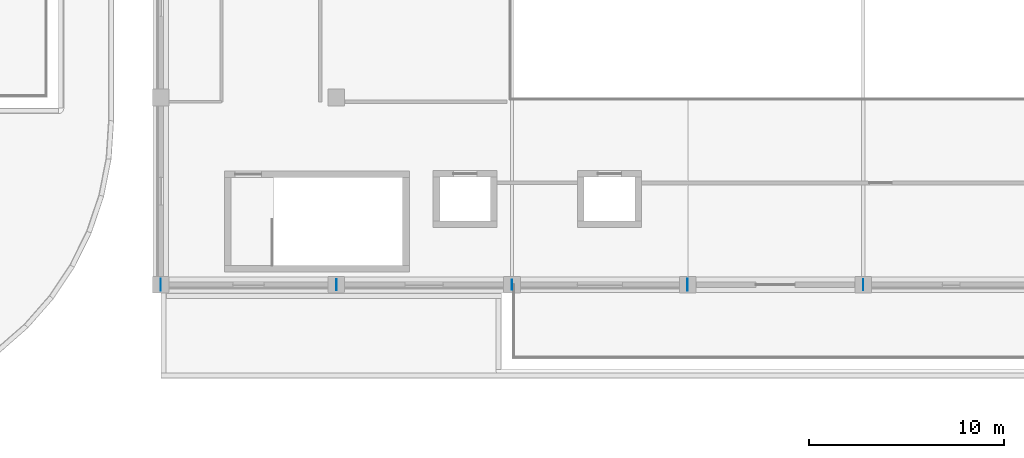
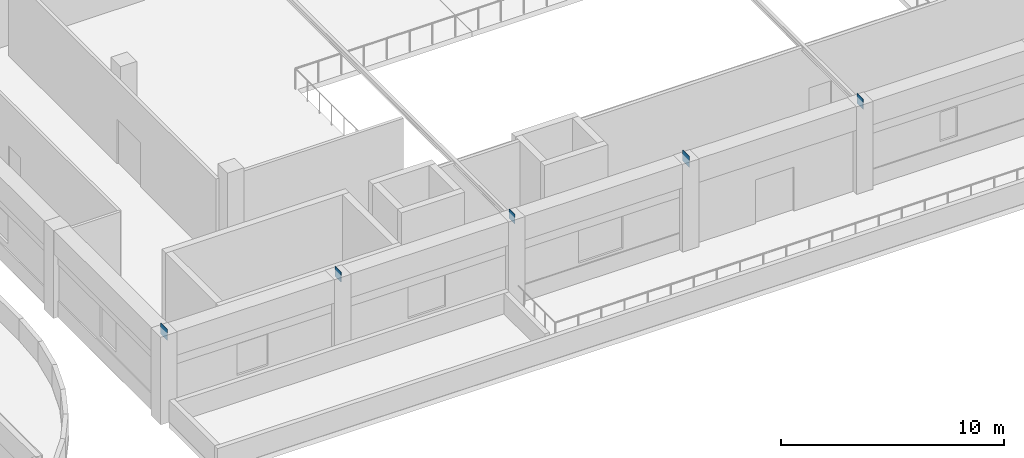
# One storey, part 36 of 67: 5 plates.
"""IFC4 building model written with IfcOpenShell, lengths in metres."""

import ifcopenshell
import ifcopenshell.guid

model = None  # the IFC model being written
_history = None  # IfcOwnerHistory: only IFC2X3 demands one
_inside = {}  # id of a spatial element -> (the spatial element, [elements in it])
_under = {}  # id of a project, library or spatial element -> (it, [spatial elements below it])
_declared = {}  # id of a project -> (the project, [libraries it declares])
_typed = {}  # id of a type object -> (the type object, [elements of that type])
_made_of = {}  # id of a material, layer set ... -> (it, [elements and type objects made of it])


def new_model(schema):
    """Start an empty IFC model of exactly this schema.

    Asked for "IFC4X3", IfcOpenShell would pick the latest addendum, in which some entities
    have other attributes; the version numbers below select the first issue.
    IFC2X3 requires an IfcOwnerHistory on every rooted entity: one is made here for all.
    """
    global model, _history
    if schema == "IFC4X3":
        model = ifcopenshell.file(schema_version=(4, 3, 0, 0))
    else:
        model = ifcopenshell.file(schema=schema)
    _inside.clear()
    _under.clear()
    _declared.clear()
    _typed.clear()
    _made_of.clear()
    _history = None
    if model.schema == "IFC2X3":
        org = make("IfcOrganization", Name="unknown")
        user = make(
            "IfcPersonAndOrganization",
            ThePerson=make("IfcPerson", FamilyName="unknown"),
            TheOrganization=org,
        )
        app = make(
            "IfcApplication",
            ApplicationDeveloper=org,
            Version="unknown",
            ApplicationFullName="unknown",
            ApplicationIdentifier="unknown",
        )
        _history = make(
            "IfcOwnerHistory",
            OwningUser=user,
            OwningApplication=app,
            ChangeAction="ADDED",
            CreationDate=0,
        )
    return model


def make(cls, **values):
    """One entity of the class cls with the attributes given. An attribute that is None is left unset."""
    return model.create_entity(
        cls, **{name: value for name, value in values.items() if value is not None}
    )


def rooted(cls, **values):
    """An entity with a GlobalId (a new one), such as an element, a storey or a relation."""
    return make(cls, GlobalId=ifcopenshell.guid.new(), OwnerHistory=_history, **values)


def si_unit(unit_type, name, prefix=None):
    """IfcSIUnit, for example si_unit("LENGTHUNIT", "METRE", prefix="MILLI")."""
    return make("IfcSIUnit", UnitType=unit_type, Prefix=prefix, Name=name)


def assignment(units):
    """IfcUnitAssignment: the units of a project."""
    return None if units is None else make("IfcUnitAssignment", Units=units)


def point(xyz):
    """IfcCartesianPoint."""
    return None if xyz is None else make("IfcCartesianPoint", Coordinates=xyz)


def direction(xyz):
    """IfcDirection."""
    return None if xyz is None else make("IfcDirection", DirectionRatios=xyz)


def frame(location, z_axis=None, x_axis=None):
    """IfcAxis2Placement3D, a coordinate frame: its origin and axes. An axis left out is left unset."""
    return make(
        "IfcAxis2Placement3D",
        Location=point(location),
        Axis=direction(z_axis),
        RefDirection=direction(x_axis),
    )


def frame_2d(location, x_axis=None):
    """IfcAxis2Placement2D, a coordinate frame in the plane: its origin and x axis."""
    return make(
        "IfcAxis2Placement2D", Location=point(location), RefDirection=direction(x_axis)
    )


def origin():
    """The frame at (0, 0, 0) with its axes left unset."""
    return frame((0.0, 0.0, 0.0))


def origin_2d():
    """The frame at (0, 0) in the plane with its x axis left unset."""
    return frame_2d((0.0, 0.0))


def place(relative_to, where):
    """IfcLocalPlacement: puts the frame where relative to a parent placement (None: the world)."""
    return make(
        "IfcLocalPlacement", PlacementRelTo=relative_to, RelativePlacement=where
    )


def context(
    kind, dimensions, precision=None, world=None, true_north=None, identifier=None
):
    """IfcGeometricRepresentationContext, for example the 3D "Model" context."""
    return make(
        "IfcGeometricRepresentationContext",
        ContextIdentifier=identifier,
        ContextType=kind,
        CoordinateSpaceDimension=dimensions,
        Precision=precision,
        WorldCoordinateSystem=world,
        TrueNorth=true_north,
    )


def subcontext(parent, identifier, kind, view, scale=None):
    """IfcGeometricRepresentationSubContext, for example "Body" below "Model"."""
    return make(
        "IfcGeometricRepresentationSubContext",
        ContextIdentifier=identifier,
        ContextType=kind,
        ParentContext=parent,
        TargetScale=scale,
        TargetView=view,
    )


def project(units=None, contexts=None):
    """IfcProject with its units and contexts."""
    return rooted(
        "IfcProject",
        Name="project",
        RepresentationContexts=contexts,
        UnitsInContext=assignment(units),
    )


def spatial(cls, under=None, at=None, **own):
    """A site, building, storey or space (cls), placed at a placement, below another one or the project."""
    s = rooted(cls, ObjectPlacement=at, **own)
    if under is not None:
        _under.setdefault(under.id(), (under, []))[1].append(s)
    return s


def profile(cls, at=None, kind="AREA", **sizes):
    """A parametric profile (cls). Its sizes go by their IFC names, for example OverallWidth=200.0."""
    return make(cls, ProfileType=kind, Position=at, **sizes)


def rectangle(**sizes):
    """IfcRectangleProfileDef."""
    return profile("IfcRectangleProfileDef", **sizes)


def extrude(swept, where, along, depth):
    """IfcExtrudedAreaSolid: the profile swept, set in the frame where, extruded along a direction by depth."""
    return make(
        "IfcExtrudedAreaSolid",
        SweptArea=swept,
        Position=where,
        ExtrudedDirection=direction(along),
        Depth=depth,
    )


def shape(context_of_items, identifier, shape_type, items):
    """IfcShapeRepresentation: the items that make up one representation, for example the "Body"."""
    return make(
        "IfcShapeRepresentation",
        ContextOfItems=context_of_items,
        RepresentationIdentifier=identifier,
        RepresentationType=shape_type,
        Items=items,
    )


def material(Name=None, Category=None):
    """IfcMaterial."""
    return make("IfcMaterial", Name=Name, Category=Category)


def layer(
    of_material, thickness, ventilated=None, Name=None, Category=None, Priority=None
):
    """IfcMaterialLayer: one layer of a wall or slab, of a material (None: an air gap)."""
    return make(
        "IfcMaterialLayer",
        Material=of_material,
        LayerThickness=thickness,
        IsVentilated=ventilated,
        Name=Name,
        Category=Category,
        Priority=Priority,
    )


def layer_set(layers, Name=None):
    """IfcMaterialLayerSet."""
    return make("IfcMaterialLayerSet", MaterialLayers=layers, LayerSetName=Name)


def made_of(thing, what):
    """Note that an element or type object is made of a material, layer set ...; save() writes the relation."""
    if what is not None:
        _made_of.setdefault(what.id(), (what, []))[1].append(thing)
    return thing


def type_object(cls, material=None, **own):
    """A type object (cls), such as IfcWallType, which elements share."""
    return made_of(rooted(cls, **own), material)


def element(
    cls,
    number,
    at=None,
    inside=None,
    cuts=None,
    type_object=None,
    material=None,
    context=None,
    identifier="Body",
    shape_type=None,
    held_by="IfcProductDefinitionShape",
    body=None,
    shapes=None,
    **own,
):
    """One element of the class cls, such as IfcWall. Its Tag is "e" and its number.

    at: its placement. inside: the storey or other place that contains it. cuts: it is an
    opening in that element (IfcRelVoidsElement). A single representation is given by context,
    identifier, shape_type and body (its items); several are given by shapes. held_by: the class
    of the entity that holds the representations. save() writes the other relations.
    """
    e = rooted(cls, Tag="e%d" % number, ObjectPlacement=at, **own)
    if body is not None:
        shapes = [shape(context, identifier, shape_type, body)]
    if shapes is not None:
        e.Representation = make(held_by, Representations=shapes)
    if inside is not None:
        _inside.setdefault(inside.id(), (inside, []))[1].append(e)
    if cuts is not None:
        rooted(
            "IfcRelVoidsElement", RelatingBuildingElement=cuts, RelatedOpeningElement=e
        )
    if type_object is not None:
        _typed.setdefault(type_object.id(), (type_object, []))[1].append(e)
    return made_of(e, material)


def aggregate(whole, parts):
    """IfcRelAggregates: a whole, such as a stair, and the parts it consists of."""
    return rooted("IfcRelAggregates", RelatingObject=whole, RelatedObjects=parts)


def save(model, path):
    """Write the relations noted so far, then the file.

    IfcRelAggregates (storeys below a building ...), IfcRelContainedInSpatialStructure (elements
    in a storey), IfcRelDefinesByType, IfcRelAssociatesMaterial and IfcRelDeclares: one each for
    every whole, place, type object, material and project.
    """
    for whole, parts in _under.values():
        aggregate(whole, parts)
    for where, things in _inside.values():
        rooted(
            "IfcRelContainedInSpatialStructure",
            RelatedElements=things,
            RelatingStructure=where,
        )
    for kind, things in _typed.values():
        rooted("IfcRelDefinesByType", RelatedObjects=things, RelatingType=kind)
    for what, things in _made_of.values():
        rooted("IfcRelAssociatesMaterial", RelatedObjects=things, RelatingMaterial=what)
    for by, libraries in _declared.values():
        rooted("IfcRelDeclares", RelatingContext=by, RelatedDefinitions=libraries)
    model.write(path)


model = new_model("IFC4")

# Units and contexts
model_context = context("Model", 3, precision=1e-05, world=origin(), true_north=direction((0.0, 1.0)))
body_context = subcontext(model_context, "Body", "Model", "MODEL_VIEW")
ifc_project = project(units=[si_unit("LENGTHUNIT", "METRE"), si_unit("AREAUNIT", "SQUARE_METRE"), si_unit("VOLUMEUNIT", "CUBIC_METRE"), si_unit("PLANEANGLEUNIT", "RADIAN"), si_unit("MASSUNIT", "GRAM", prefix="KILO")], contexts=[model_context])

# Site, building, storey
site_placement = place(None, origin())
site = spatial("IfcSite", under=ifc_project, at=site_placement, CompositionType="ELEMENT")
building_placement = place(site_placement, origin())
building = spatial("IfcBuilding", under=site, at=building_placement, Name="Cendralis Terraced Arcade", CompositionType="ELEMENT")
storey_placement = place(building_placement, frame((0.0, 0.0, 15.0)))
storey = spatial("IfcBuildingStorey", under=building, at=storey_placement, Name="L03", CompositionType="ELEMENT", Elevation=15.0)

# Plates
ifc_material = material(Name="Steel ASTM A572 Grade 50", Category="steel")
ifc_layer_1 = layer(ifc_material, 0.01806640625, Name="PLT-GUS-500x500x18")
ifc_layer_set_1 = layer_set([ifc_layer_1], Name="Steel ASTM A572 Grade 50")
plate_type_1 = type_object("IfcPlateType", Name="PLT-GUS-500x500x18", PredefinedType="SHEET", material=ifc_layer_set_1)
plate_placement = place(storey_placement, frame((85.199951171875, 9.60009765625, 4.449951171875), z_axis=(0.0, 0.0, 1.0), x_axis=(0.0, 1.0, 0.0)))
element("IfcPlate", 1, at=plate_placement, inside=storey, type_object=plate_type_1, Name="Gourmet Food Hall Vault Springing Node Gusset Plate 03-S", PredefinedType="SHEET", context=body_context, shape_type="SweptSolid", body=[
    extrude(rectangle(XDim=0.5, YDim=0.01806640625, at=origin_2d()), origin(), (0.0, 0.0, 1.0), 0.5),
])
ifc_layer_2 = layer(ifc_material, 0.01806640625, Name="PLT-GUS-550x550x18")
ifc_layer_set_2 = layer_set([ifc_layer_2], Name="Steel ASTM A572 Grade 50")
plate_type_2 = type_object("IfcPlateType", Name="PLT-GUS-550x550x18", PredefinedType="SHEET", material=ifc_layer_set_2)
for number, where, z_axis, x_axis, name in (
    (2, (76.199951171875, 9.60009765625, 4.4248046875), (0.0, 0.0, 1.0), (0.0, 1.0, 0.0), "Gourmet Food Hall Vault Springing Node Gusset Plate 02-S"),
    (3, (103.199951171875, 9.60009765625, 4.4248046875), (0.0, 0.0, 1.0), (0.0, 1.0, 0.0), "Gourmet Food Hall Vault Springing Node Gusset Plate 05-S"),
):
    element("IfcPlate", number, at=place(storey_placement, frame(where, z_axis=z_axis, x_axis=x_axis)), inside=storey, type_object=plate_type_2, Name=name, PredefinedType="SHEET", context=body_context, shape_type="SweptSolid", body=[
        extrude(rectangle(XDim=0.550048828125, YDim=0.01806640625, at=origin_2d()), origin(), (0.0, 0.0, 1.0), 0.550048828125),
    ])
ifc_layer_3 = layer(ifc_material, 0.02001953125, Name="PLT-GUS-600x600x20")
ifc_layer_set_3 = layer_set([ifc_layer_3], Name="Steel ASTM A572 Grade 50")
plate_type_3 = type_object("IfcPlateType", Name="PLT-GUS-600x600x20", PredefinedType="SHEET", material=ifc_layer_set_3)
for number, where, z_axis, x_axis, name in (
    (4, (67.199951171875, 9.60009765625, 4.39990234375), (0.0, 0.0, 1.0), (0.0, 1.0, 0.0), "Gourmet Food Hall Vault Springing Node Gusset Plate 01-S"),
    (5, (94.199951171875, 9.60009765625, 4.39990234375), (0.0, 0.0, 1.0), (0.0, 1.0, 0.0), "Gourmet Food Hall Vault Springing Node Gusset Plate 04-S"),
):
    element("IfcPlate", number, at=place(storey_placement, frame(where, z_axis=z_axis, x_axis=x_axis)), inside=storey, type_object=plate_type_3, Name=name, PredefinedType="SHEET", context=body_context, shape_type="SweptSolid", body=[
        extrude(rectangle(XDim=0.60009765625, YDim=0.02001953125, at=origin_2d()), origin(), (0.0, 0.0, 1.0), 0.60009765625),
    ])

save(model, "model.ifc")
